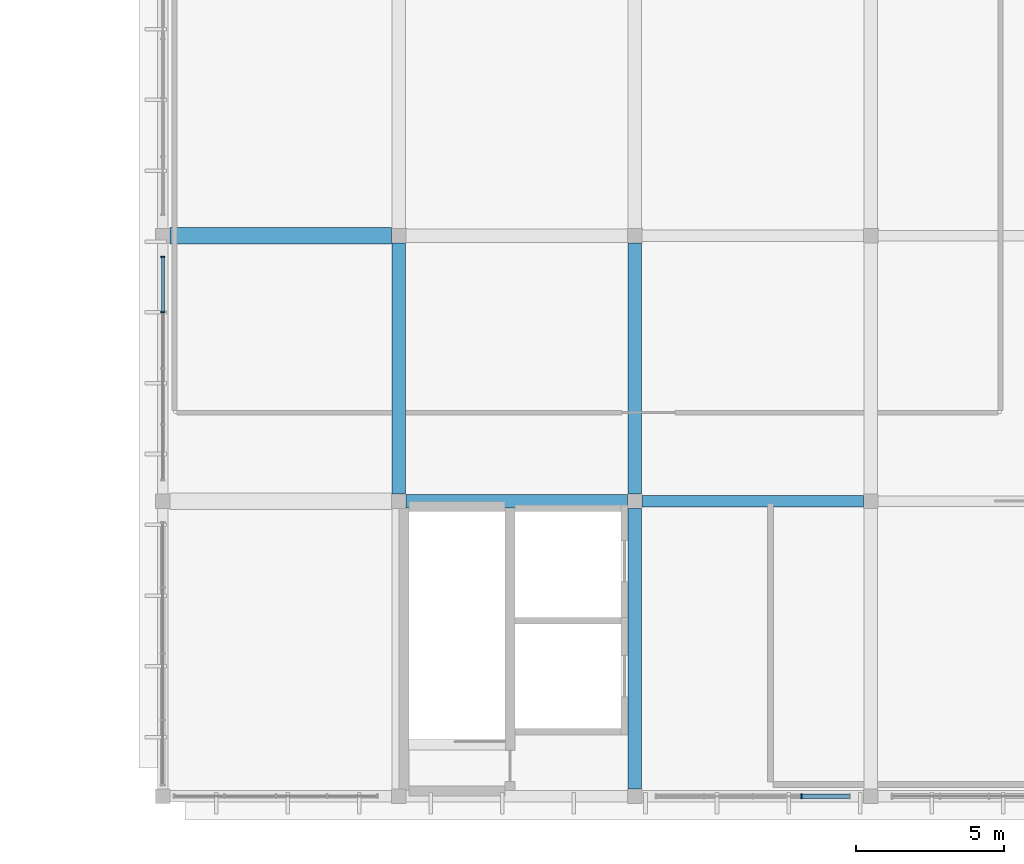
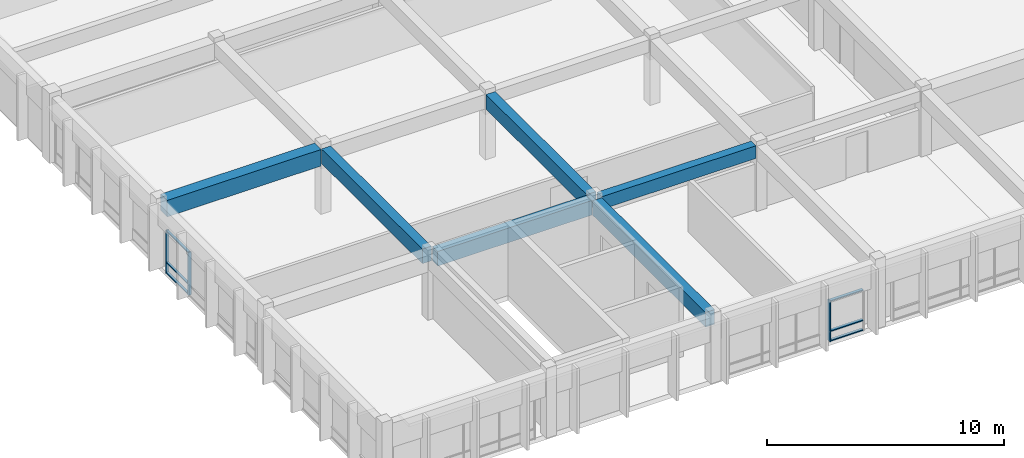
# One storey, part 5 of 33: 9 members, 6 beams, 2 elements without a shape of their own.
"""IFC4 building model written with IfcOpenShell, lengths in metres."""

import ifcopenshell
import ifcopenshell.guid

model = None  # the IFC model being written
_history = None  # IfcOwnerHistory: only IFC2X3 demands one
_inside = {}  # id of a spatial element -> (the spatial element, [elements in it])
_under = {}  # id of a project, library or spatial element -> (it, [spatial elements below it])
_declared = {}  # id of a project -> (the project, [libraries it declares])
_typed = {}  # id of a type object -> (the type object, [elements of that type])
_made_of = {}  # id of a material, layer set ... -> (it, [elements and type objects made of it])


def new_model(schema):
    """Start an empty IFC model of exactly this schema.

    Asked for "IFC4X3", IfcOpenShell would pick the latest addendum, in which some entities
    have other attributes; the version numbers below select the first issue.
    IFC2X3 requires an IfcOwnerHistory on every rooted entity: one is made here for all.
    """
    global model, _history
    if schema == "IFC4X3":
        model = ifcopenshell.file(schema_version=(4, 3, 0, 0))
    else:
        model = ifcopenshell.file(schema=schema)
    _inside.clear()
    _under.clear()
    _declared.clear()
    _typed.clear()
    _made_of.clear()
    _history = None
    if model.schema == "IFC2X3":
        org = make("IfcOrganization", Name="unknown")
        user = make(
            "IfcPersonAndOrganization",
            ThePerson=make("IfcPerson", FamilyName="unknown"),
            TheOrganization=org,
        )
        app = make(
            "IfcApplication",
            ApplicationDeveloper=org,
            Version="unknown",
            ApplicationFullName="unknown",
            ApplicationIdentifier="unknown",
        )
        _history = make(
            "IfcOwnerHistory",
            OwningUser=user,
            OwningApplication=app,
            ChangeAction="ADDED",
            CreationDate=0,
        )
    return model


def make(cls, **values):
    """One entity of the class cls with the attributes given. An attribute that is None is left unset."""
    return model.create_entity(
        cls, **{name: value for name, value in values.items() if value is not None}
    )


def rooted(cls, **values):
    """An entity with a GlobalId (a new one), such as an element, a storey or a relation."""
    return make(cls, GlobalId=ifcopenshell.guid.new(), OwnerHistory=_history, **values)


def si_unit(unit_type, name, prefix=None):
    """IfcSIUnit, for example si_unit("LENGTHUNIT", "METRE", prefix="MILLI")."""
    return make("IfcSIUnit", UnitType=unit_type, Prefix=prefix, Name=name)


def assignment(units):
    """IfcUnitAssignment: the units of a project."""
    return None if units is None else make("IfcUnitAssignment", Units=units)


def point(xyz):
    """IfcCartesianPoint."""
    return None if xyz is None else make("IfcCartesianPoint", Coordinates=xyz)


def direction(xyz):
    """IfcDirection."""
    return None if xyz is None else make("IfcDirection", DirectionRatios=xyz)


def frame(location, z_axis=None, x_axis=None):
    """IfcAxis2Placement3D, a coordinate frame: its origin and axes. An axis left out is left unset."""
    return make(
        "IfcAxis2Placement3D",
        Location=point(location),
        Axis=direction(z_axis),
        RefDirection=direction(x_axis),
    )


def frame_2d(location, x_axis=None):
    """IfcAxis2Placement2D, a coordinate frame in the plane: its origin and x axis."""
    return make(
        "IfcAxis2Placement2D", Location=point(location), RefDirection=direction(x_axis)
    )


def origin():
    """The frame at (0, 0, 0) with its axes left unset."""
    return frame((0.0, 0.0, 0.0))


def origin_2d():
    """The frame at (0, 0) in the plane with its x axis left unset."""
    return frame_2d((0.0, 0.0))


def place(relative_to, where):
    """IfcLocalPlacement: puts the frame where relative to a parent placement (None: the world)."""
    return make(
        "IfcLocalPlacement", PlacementRelTo=relative_to, RelativePlacement=where
    )


def context(
    kind, dimensions, precision=None, world=None, true_north=None, identifier=None
):
    """IfcGeometricRepresentationContext, for example the 3D "Model" context."""
    return make(
        "IfcGeometricRepresentationContext",
        ContextIdentifier=identifier,
        ContextType=kind,
        CoordinateSpaceDimension=dimensions,
        Precision=precision,
        WorldCoordinateSystem=world,
        TrueNorth=true_north,
    )


def subcontext(parent, identifier, kind, view, scale=None):
    """IfcGeometricRepresentationSubContext, for example "Body" below "Model"."""
    return make(
        "IfcGeometricRepresentationSubContext",
        ContextIdentifier=identifier,
        ContextType=kind,
        ParentContext=parent,
        TargetScale=scale,
        TargetView=view,
    )


def project(units=None, contexts=None):
    """IfcProject with its units and contexts."""
    return rooted(
        "IfcProject",
        Name="project",
        RepresentationContexts=contexts,
        UnitsInContext=assignment(units),
    )


def spatial(cls, under=None, at=None, **own):
    """A site, building, storey or space (cls), placed at a placement, below another one or the project."""
    s = rooted(cls, ObjectPlacement=at, **own)
    if under is not None:
        _under.setdefault(under.id(), (under, []))[1].append(s)
    return s


def profile(cls, at=None, kind="AREA", **sizes):
    """A parametric profile (cls). Its sizes go by their IFC names, for example OverallWidth=200.0."""
    return make(cls, ProfileType=kind, Position=at, **sizes)


def rectangle(**sizes):
    """IfcRectangleProfileDef."""
    return profile("IfcRectangleProfileDef", **sizes)


def extrude(swept, where, along, depth):
    """IfcExtrudedAreaSolid: the profile swept, set in the frame where, extruded along a direction by depth."""
    return make(
        "IfcExtrudedAreaSolid",
        SweptArea=swept,
        Position=where,
        ExtrudedDirection=direction(along),
        Depth=depth,
    )


def shape(context_of_items, identifier, shape_type, items):
    """IfcShapeRepresentation: the items that make up one representation, for example the "Body"."""
    return make(
        "IfcShapeRepresentation",
        ContextOfItems=context_of_items,
        RepresentationIdentifier=identifier,
        RepresentationType=shape_type,
        Items=items,
    )


def material(Name=None, Category=None):
    """IfcMaterial."""
    return make("IfcMaterial", Name=Name, Category=Category)


def material_profile(
    of_material, cross_section, Name=None, Category=None, Priority=None
):
    """IfcMaterialProfile: a cross section and its material."""
    return make(
        "IfcMaterialProfile",
        Name=Name,
        Material=of_material,
        Profile=cross_section,
        Priority=Priority,
        Category=Category,
    )


def profile_set(profiles, Name=None, composite=None):
    """IfcMaterialProfileSet."""
    return make(
        "IfcMaterialProfileSet",
        Name=Name,
        MaterialProfiles=profiles,
        CompositeProfile=composite,
    )


def made_of(thing, what):
    """Note that an element or type object is made of a material, layer set ...; save() writes the relation."""
    if what is not None:
        _made_of.setdefault(what.id(), (what, []))[1].append(thing)
    return thing


def type_object(cls, material=None, **own):
    """A type object (cls), such as IfcWallType, which elements share."""
    return made_of(rooted(cls, **own), material)


def element(
    cls,
    number,
    at=None,
    inside=None,
    cuts=None,
    type_object=None,
    material=None,
    context=None,
    identifier="Body",
    shape_type=None,
    held_by="IfcProductDefinitionShape",
    body=None,
    shapes=None,
    **own,
):
    """One element of the class cls, such as IfcWall. Its Tag is "e" and its number.

    at: its placement. inside: the storey or other place that contains it. cuts: it is an
    opening in that element (IfcRelVoidsElement). A single representation is given by context,
    identifier, shape_type and body (its items); several are given by shapes. held_by: the class
    of the entity that holds the representations. save() writes the other relations.
    """
    e = rooted(cls, Tag="e%d" % number, ObjectPlacement=at, **own)
    if body is not None:
        shapes = [shape(context, identifier, shape_type, body)]
    if shapes is not None:
        e.Representation = make(held_by, Representations=shapes)
    if inside is not None:
        _inside.setdefault(inside.id(), (inside, []))[1].append(e)
    if cuts is not None:
        rooted(
            "IfcRelVoidsElement", RelatingBuildingElement=cuts, RelatedOpeningElement=e
        )
    if type_object is not None:
        _typed.setdefault(type_object.id(), (type_object, []))[1].append(e)
    return made_of(e, material)


def aggregate(whole, parts):
    """IfcRelAggregates: a whole, such as a stair, and the parts it consists of."""
    return rooted("IfcRelAggregates", RelatingObject=whole, RelatedObjects=parts)


def save(model, path):
    """Write the relations noted so far, then the file.

    IfcRelAggregates (storeys below a building ...), IfcRelContainedInSpatialStructure (elements
    in a storey), IfcRelDefinesByType, IfcRelAssociatesMaterial and IfcRelDeclares: one each for
    every whole, place, type object, material and project.
    """
    for whole, parts in _under.values():
        aggregate(whole, parts)
    for where, things in _inside.values():
        rooted(
            "IfcRelContainedInSpatialStructure",
            RelatedElements=things,
            RelatingStructure=where,
        )
    for kind, things in _typed.values():
        rooted("IfcRelDefinesByType", RelatedObjects=things, RelatingType=kind)
    for what, things in _made_of.values():
        rooted("IfcRelAssociatesMaterial", RelatedObjects=things, RelatingMaterial=what)
    for by, libraries in _declared.values():
        rooted("IfcRelDeclares", RelatingContext=by, RelatedDefinitions=libraries)
    model.write(path)


model = new_model("IFC4")

# Units and contexts
model_context = context("Model", 3, precision=1e-05, world=origin(), true_north=direction((0.0, 1.0)))
body_context = subcontext(model_context, "Body", "Model", "MODEL_VIEW")
ifc_project = project(units=[si_unit("LENGTHUNIT", "METRE"), si_unit("AREAUNIT", "SQUARE_METRE"), si_unit("VOLUMEUNIT", "CUBIC_METRE"), si_unit("PLANEANGLEUNIT", "RADIAN"), si_unit("MASSUNIT", "GRAM", prefix="KILO")], contexts=[model_context])

# Site, building, storey
site_placement = place(None, origin())
site = spatial("IfcSite", under=ifc_project, at=site_placement, CompositionType="ELEMENT")
building_placement = place(site_placement, origin())
building = spatial("IfcBuilding", under=site, at=building_placement, Name="Larkveld Mobility Hub", CompositionType="ELEMENT")
storey_placement = place(building_placement, frame((0.0, 0.0, 15.60009765625)))
storey = spatial("IfcBuildingStorey", under=building, at=storey_placement, Name="L04", CompositionType="ELEMENT", Elevation=15.60009765625)

# Beams
ifc_material_1 = material(Name="Concrete C40/50", Category="concrete")
ifc_material_profile_1 = material_profile(ifc_material_1, rectangle(XDim=0.39990234375, YDim=0.64990234375, at=origin_2d()), Name="RC BM 400x650")
ifc_profile_set_1 = profile_set([ifc_material_profile_1], Name="Concrete C40/50")
beam_type_1 = type_object("IfcBeamType", Name="BM-RC4065", PredefinedType="BEAM", material=ifc_profile_set_1)
beam_1_placement = place(storey_placement, frame((128.25, 10.0, 3.034912109375), z_axis=(1.0, 0.0, 0.0), x_axis=(0.0, 1.0, 0.0)))
element("IfcBeam", 1, at=beam_1_placement, inside=storey, type_object=beam_type_1, Name="Primary E-W Girder L04-0862", PredefinedType="BEAM", context=body_context, shape_type="SweptSolid", body=[
    extrude(rectangle(XDim=0.39990234375, YDim=0.64990234375, at=origin_2d()), origin(), (0.0, 0.0, 1.0), 7.5),
])
ifc_material_profile_2 = material_profile(ifc_material_1, rectangle(XDim=0.449951171875, YDim=0.75, at=origin_2d()), Name="RC BM 450x750")
ifc_profile_set_2 = profile_set([ifc_material_profile_2], Name="Concrete C40/50")
beam_type_2 = type_object("IfcBeamType", Name="BM-RC4575", PredefinedType="BEAM", material=ifc_profile_set_2)
beam_2_placement = place(storey_placement, frame((120.25, 10.0, 2.98486328125), z_axis=(1.0, 0.0, 0.0), x_axis=(0.0, 1.0, 0.0)))
element("IfcBeam", 2, at=beam_2_placement, inside=storey, type_object=beam_type_2, Name="Primary E-W Girder L04-0861", PredefinedType="BEAM", context=body_context, shape_type="SweptSolid", body=[
    extrude(rectangle(XDim=0.449951171875, YDim=0.75, at=origin_2d()), origin(), (0.0, 0.0, 1.0), 7.5),
])
beam_3_placement = place(storey_placement, frame((120.0, 10.25, 2.98486328125), z_axis=(0.0, 1.0, 0.0), x_axis=(-1.0, 0.0, 0.0)))
element("IfcBeam", 3, at=beam_3_placement, inside=storey, type_object=beam_type_2, Name="Primary N-S Girder L04-0908", PredefinedType="BEAM", context=body_context, shape_type="SweptSolid", body=[
    extrude(rectangle(XDim=0.449951171875, YDim=0.75, at=origin_2d()), origin(), (0.0, 0.0, 1.0), 8.5),
])
beam_4_placement = place(storey_placement, frame((128.0, 0.25, 2.98486328125), z_axis=(0.0, 1.0, 0.0), x_axis=(-1.0, 0.0, 0.0)))
element("IfcBeam", 4, at=beam_4_placement, inside=storey, type_object=beam_type_2, Name="Primary N-S Girder L04-0910", PredefinedType="BEAM", context=body_context, shape_type="SweptSolid", body=[
    extrude(rectangle(XDim=0.449951171875, YDim=0.75, at=origin_2d()), origin(), (0.0, 0.0, 1.0), 9.5),
])
beam_5_placement = place(storey_placement, frame((128.0, 10.25, 2.98486328125), z_axis=(0.0, 1.0, 0.0), x_axis=(-1.0, 0.0, 0.0)))
element("IfcBeam", 5, at=beam_5_placement, inside=storey, type_object=beam_type_2, Name="Primary N-S Girder L04-0911", PredefinedType="BEAM", context=body_context, shape_type="SweptSolid", body=[
    extrude(rectangle(XDim=0.449951171875, YDim=0.75, at=origin_2d()), origin(), (0.0, 0.0, 1.0), 8.5),
])
ifc_material_profile_3 = material_profile(ifc_material_1, rectangle(XDim=0.550048828125, YDim=0.85009765625, at=origin_2d()), Name="RC BM 550x850")
ifc_profile_set_3 = profile_set([ifc_material_profile_3], Name="Concrete C40/50")
beam_type_3 = type_object("IfcBeamType", Name="BM-RC5585", PredefinedType="BEAM", material=ifc_profile_set_3)
beam_6_placement = place(storey_placement, frame((112.25, 19.0, 2.934814453125), z_axis=(1.0, 0.0, 0.0), x_axis=(0.0, 1.0, 0.0)))
element("IfcBeam", 6, at=beam_6_placement, inside=storey, type_object=beam_type_3, Name="Primary E-W Girder L04-0866", PredefinedType="BEAM", context=body_context, shape_type="SweptSolid", body=[
    extrude(rectangle(XDim=0.550048828125, YDim=0.85009765625, at=origin_2d()), origin(), (0.0, 0.0, 1.0), 7.5),
])

# Curtain wall, members
ifc_material_2 = material(Name="Anodised aluminium 6063-T6", Category="aluminium")
curtain_wall_type_1 = type_object("IfcCurtainWallType", Name="CW-SYS-01", PredefinedType="NOTDEFINED", material=ifc_material_2)
curtain_wall_1_placement = place(storey_placement, origin())
curtain_wall_1 = element("IfcCurtainWall", 7, at=curtain_wall_1_placement, inside=storey, type_object=curtain_wall_type_1, Name="Public Passage East Service Facade L04 CW-133", PredefinedType="NOTDEFINED")
ifc_material_profile_4 = material_profile(ifc_material_2, rectangle(XDim=0.050048828125, YDim=0.14990234375, at=origin_2d()), Name="ALU MULL 50x150")
ifc_profile_set_4 = profile_set([ifc_material_profile_4], Name="Anodised aluminium 6063-T6")
member_type_1 = type_object("IfcMemberType", Name="CW-MUL-01", PredefinedType="MULLION", material=ifc_profile_set_4)
member_1_placement = place(storey_placement, frame((112.0, 18.284912109375, -0.002197265625), z_axis=(0.0, 0.0, 1.0), x_axis=(0.0, -1.0, 0.0)))
member_1 = element("IfcMember", 8, at=member_1_placement, type_object=member_type_1, Name="CW01 mullion 1", PredefinedType="MULLION", context=body_context, shape_type="SweptSolid", body=[
    extrude(rectangle(XDim=0.050048828125, YDim=0.14990234375, at=origin_2d()), origin(), (0.0, 0.0, 1.0), 2.212158203125),
])
member_2_placement = place(storey_placement, frame((112.0, 16.405029296875, -0.002197265625), z_axis=(0.0, 0.0, 1.0), x_axis=(0.0, -1.0, 0.0)))
member_2 = element("IfcMember", 9, at=member_2_placement, type_object=member_type_1, Name="CW01 mullion 2", PredefinedType="MULLION", context=body_context, shape_type="SweptSolid", body=[
    extrude(rectangle(XDim=0.050048828125, YDim=0.14990234375, at=origin_2d()), origin(), (0.0, 0.0, 1.0), 2.212158203125),
])

# Curtain wall, member
curtain_wall_type_2 = type_object("IfcCurtainWallType", Name="CW-SYS-06", PredefinedType="NOTDEFINED", material=ifc_material_2)
curtain_wall_2_placement = place(storey_placement, origin())
curtain_wall_2 = element("IfcCurtainWall", 10, at=curtain_wall_2_placement, inside=storey, type_object=curtain_wall_type_2, Name="Service Centre South Curtain Wall L04 CW-126", PredefinedType="NOTDEFINED")
ifc_material_profile_5 = material_profile(ifc_material_2, rectangle(XDim=0.050048828125, YDim=0.179931640625, at=origin_2d()), Name="ALU MULL 50x180")
ifc_profile_set_5 = profile_set([ifc_material_profile_5], Name="Anodised aluminium 6063-T6")
member_type_2 = type_object("IfcMemberType", Name="CW-MUL-02", PredefinedType="MULLION", material=ifc_profile_set_5)
member_3_placement = place(storey_placement, frame((133.655029296875, 0.0, -0.002197265625), z_axis=(0.0, 0.0, 1.0), x_axis=(1.0, 0.0, 0.0)))
member_3 = element("IfcMember", 11, at=member_3_placement, type_object=member_type_2, Name="CW06 mullion 4", PredefinedType="MULLION", context=body_context, shape_type="SweptSolid", body=[
    extrude(rectangle(XDim=0.050048828125, YDim=0.179931640625, at=origin_2d()), origin(), (0.0, 0.0, 1.0), 2.112060546875),
])

# Member
ifc_material_profile_6 = material_profile(ifc_material_2, rectangle(XDim=0.1201171875, YDim=0.050048828125, at=origin_2d()), Name="ALU TRAN 50x120")
ifc_profile_set_6 = profile_set([ifc_material_profile_6], Name="Anodised aluminium 6063-T6")
member_type_3 = type_object("IfcMemberType", Name="CW-TRN-01", PredefinedType="USERDEFINED", material=ifc_profile_set_6)
member_4_placement = place(storey_placement, frame((112.0, 18.27490234375, 0.02978515625), z_axis=(0.0, -1.0, 0.0), x_axis=(1.0, 0.0, 0.0)))
member_4 = element("IfcMember", 12, at=member_4_placement, type_object=member_type_3, Name="CW01 transom 1.1", ObjectType="TRANSOM", PredefinedType="USERDEFINED", context=body_context, shape_type="SweptSolid", body=[
    extrude(rectangle(XDim=0.1201171875, YDim=0.050048828125, at=origin_2d()), origin(), (0.0, 0.0, 1.0), 1.85498046875),
])

member_5_placement = place(storey_placement, frame((112.0, 18.27490234375, 0.552001953125), z_axis=(0.0, -1.0, 0.0), x_axis=(1.0, 0.0, 0.0)))
member_5 = element("IfcMember", 13, at=member_5_placement, type_object=member_type_3, Name="CW01 transom 1.2", ObjectType="TRANSOM", PredefinedType="USERDEFINED", context=body_context, shape_type="SweptSolid", body=[
    extrude(rectangle(XDim=0.1201171875, YDim=0.050048828125, at=origin_2d()), origin(), (0.0, 0.0, 1.0), 1.85498046875),
])

member_6_placement = place(storey_placement, frame((112.0, 18.27490234375, 2.177978515625), z_axis=(0.0, -1.0, 0.0), x_axis=(1.0, 0.0, 0.0)))
member_6 = element("IfcMember", 14, at=member_6_placement, type_object=member_type_3, Name="CW01 transom 1.3", ObjectType="TRANSOM", PredefinedType="USERDEFINED", context=body_context, shape_type="SweptSolid", body=[
    extrude(rectangle(XDim=0.1201171875, YDim=0.050048828125, at=origin_2d()), origin(), (0.0, 0.0, 1.0), 1.85498046875),
])

aggregate(curtain_wall_1, [member_1, member_2, member_4, member_5, member_6])

ifc_material_profile_7 = material_profile(ifc_material_2, rectangle(XDim=0.14990234375, YDim=0.050048828125, at=origin_2d()), Name="ALU TRAN 50x150")
ifc_profile_set_7 = profile_set([ifc_material_profile_7], Name="Anodised aluminium 6063-T6")
member_type_4 = type_object("IfcMemberType", Name="CW-TRN-02", PredefinedType="USERDEFINED", material=ifc_profile_set_7)
member_7_placement = place(storey_placement, frame((133.669921875, 0.0, 0.02978515625), z_axis=(1.0, 0.0, 0.0), x_axis=(0.0, 1.0, 0.0)))
member_7 = element("IfcMember", 15, at=member_7_placement, type_object=member_type_4, Name="CW06 transom 4.1", ObjectType="TRANSOM", PredefinedType="USERDEFINED", context=body_context, shape_type="SweptSolid", body=[
    extrude(rectangle(XDim=0.14990234375, YDim=0.050048828125, at=origin_2d()), origin(), (0.0, 0.0, 1.0), 1.60498046875),
])

member_8_placement = place(storey_placement, frame((133.669921875, 0.0, 0.52685546875), z_axis=(1.0, 0.0, 0.0), x_axis=(0.0, 1.0, 0.0)))
member_8 = element("IfcMember", 16, at=member_8_placement, type_object=member_type_4, Name="CW06 transom 4.2", ObjectType="TRANSOM", PredefinedType="USERDEFINED", context=body_context, shape_type="SweptSolid", body=[
    extrude(rectangle(XDim=0.14990234375, YDim=0.050048828125, at=origin_2d()), origin(), (0.0, 0.0, 1.0), 1.60498046875),
])

member_9_placement = place(storey_placement, frame((133.669921875, 0.0, 2.077880859375), z_axis=(1.0, 0.0, 0.0), x_axis=(0.0, 1.0, 0.0)))
member_9 = element("IfcMember", 17, at=member_9_placement, type_object=member_type_4, Name="CW06 transom 4.3", ObjectType="TRANSOM", PredefinedType="USERDEFINED", context=body_context, shape_type="SweptSolid", body=[
    extrude(rectangle(XDim=0.14990234375, YDim=0.050048828125, at=origin_2d()), origin(), (0.0, 0.0, 1.0), 1.60498046875),
])

aggregate(curtain_wall_2, [member_3, member_7, member_8, member_9])

save(model, "model.ifc")
